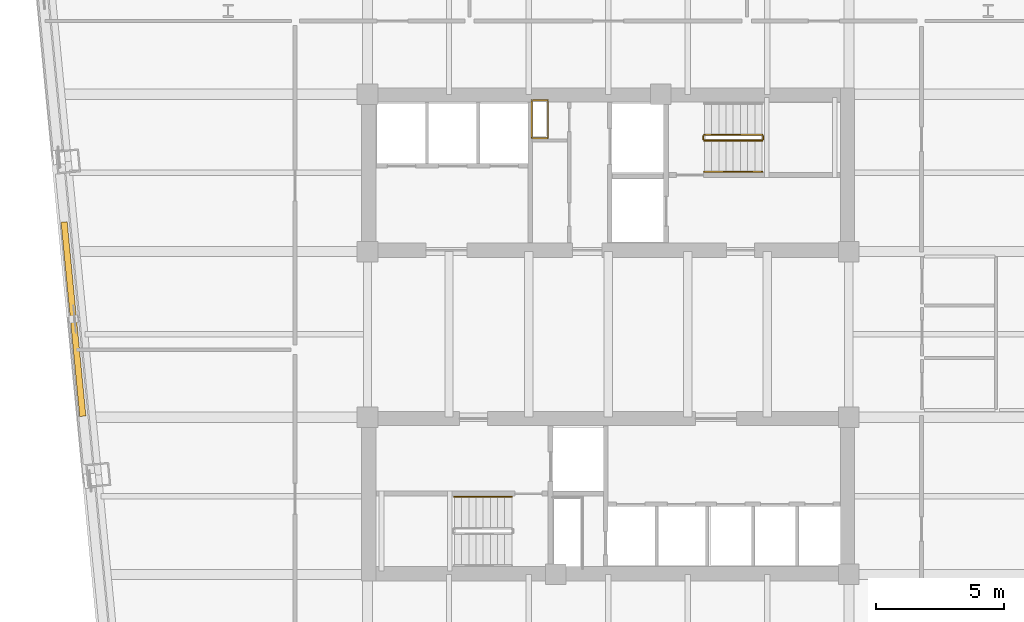
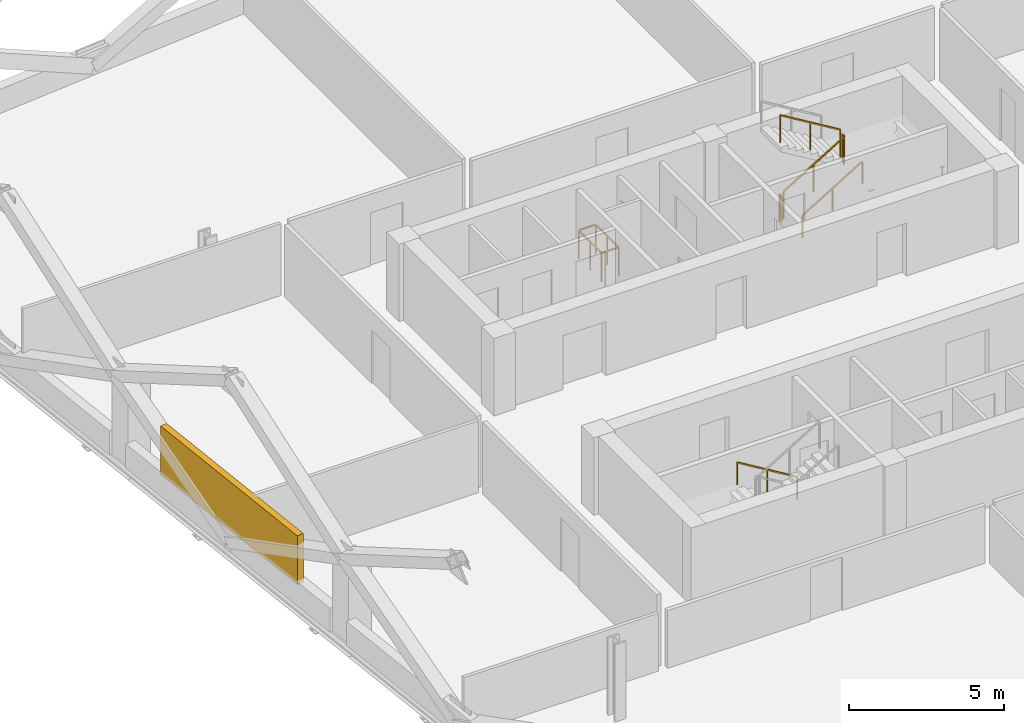
# One storey, part 7 of 8: 7 railings, 1 shading device.
"""IFC4 building model written with IfcOpenShell, lengths in metres."""

from ifc_helpers import new_model, si_unit, direction, frame, origin, origin_2d, place, context, subcontext, project, spatial, rectangle, extrude, material, type_object, element, save


model = new_model("IFC4")

# Units and contexts
model_context = context("Model", 3, precision=1e-05, world=origin(), true_north=direction((0.0, 1.0)))
body_context = subcontext(model_context, "Body", "Model", "MODEL_VIEW")
ifc_project = project(units=[si_unit("LENGTHUNIT", "METRE"), si_unit("AREAUNIT", "SQUARE_METRE"), si_unit("VOLUMEUNIT", "CUBIC_METRE"), si_unit("PLANEANGLEUNIT", "RADIAN"), si_unit("MASSUNIT", "GRAM", prefix="KILO")], contexts=[model_context])

# Site, building, storey
site_placement = place(None, origin())
site = spatial("IfcSite", under=ifc_project, at=site_placement, CompositionType="ELEMENT")
building_placement = place(site_placement, origin())
building = spatial("IfcBuilding", under=site, at=building_placement, Name="Qhalaya Broadcast Tower", CompositionType="ELEMENT")
storey_placement = place(building_placement, frame((0.0, 0.0, 93.85009765625)))
storey = spatial("IfcBuildingStorey", under=building, at=storey_placement, Name="L27", CompositionType="ELEMENT", Elevation=93.85009765625)

# Railings
ifc_material_1 = material(Name="Powder-Coated Galvanised Steel", Category="steel")
railing_type_1 = type_object("IfcRailingType", Name="Stair Wall Handrail 900", PredefinedType="HANDRAIL", material=ifc_material_1)
railing_1_placement = place(storey_placement, frame((3.75, 6.929931640625, 0.16943359375)))
element("IfcRailing", 1, at=railing_1_placement, inside=storey, type_object=railing_type_1, Name="L27 ST-1 Stair Handrail 1", PredefinedType="HANDRAIL", context=body_context, shape_type="SweptSolid", body=[
    extrude(rectangle(XDim=0.048095703125, YDim=0.048095703125, at=origin_2d()), frame((0.0, 0.0, 0.8759765625), z_axis=(0.855553338991, 0.0, 0.51771467445), x_axis=(0.0, 1.0, 0.0)), (0.0, 0.0, 1.0), 2.6181640625),
    extrude(rectangle(XDim=0.0419921875, YDim=0.0419921875, at=origin_2d()), origin(), (0.0, 0.0, 1.0), 0.849853515625),
    extrude(rectangle(XDim=0.0419921875, YDim=0.0419921875, at=origin_2d()), frame((1.1201171875, 0.0, 0.677734375)), (0.0, 0.0, 1.0), 0.849853515625),
    extrude(rectangle(XDim=0.0419921875, YDim=0.0419921875, at=origin_2d()), frame((2.239990234375, 0.0, 1.35546875)), (0.0, 0.0, 1.0), 0.849853515625),
])
railing_2_placement = place(storey_placement, frame((-3.75, -5.72998046875, 0.16943359375)))
element("IfcRailing", 2, at=railing_2_placement, inside=storey, type_object=railing_type_1, Name="L27 ST-2 Stair Handrail 1", PredefinedType="HANDRAIL", context=body_context, shape_type="SweptSolid", body=[
    extrude(rectangle(XDim=0.048095703125, YDim=0.048095703125, at=origin_2d()), frame((0.0, 0.0, 0.8759765625), z_axis=(-0.855553338991, 0.0, 0.51771467445), x_axis=(0.0, -1.0, 0.0)), (0.0, 0.0, 1.0), 2.6181640625),
    extrude(rectangle(XDim=0.0419921875, YDim=0.0419921875, at=origin_2d()), origin(), (0.0, 0.0, 1.0), 0.849853515625),
    extrude(rectangle(XDim=0.0419921875, YDim=0.0419921875, at=origin_2d()), frame((-1.1201171875, 0.0, 0.677734375)), (0.0, 0.0, 1.0), 0.849853515625),
    extrude(rectangle(XDim=0.0419921875, YDim=0.0419921875, at=origin_2d()), frame((-2.239990234375, 0.0, 1.35546875)), (0.0, 0.0, 1.0), 0.849853515625),
])
railing_type_2 = type_object("IfcRailingType", Name="Stair Well & Landing Guardrail 1100", PredefinedType="GUARDRAIL", material=ifc_material_1)
railing_3_placement = place(storey_placement, frame((-2.340087890625, 8.239990234375, 0.0)))
element("IfcRailing", 3, at=railing_3_placement, inside=storey, type_object=railing_type_2, Name="L27 Service Riser Opening Safety Guard NRSR", PredefinedType="GUARDRAIL", context=body_context, shape_type="SweptSolid", body=[
    extrude(rectangle(XDim=0.048095703125, YDim=0.048095703125, at=origin_2d()), frame((0.0, 0.02880859375, 1.1259765625), z_axis=(0.0, 1.0, 0.0), x_axis=(-1.0, 0.0, 0.0)), (0.0, 0.0, 1.0), 1.42236328125),
    extrude(rectangle(XDim=0.048095703125, YDim=0.048095703125, at=origin_2d()), frame((-0.02880859375, 1.47998046875, 1.1259765625), z_axis=(-1.0, 0.0, 0.0), x_axis=(0.0, -1.0, 0.0)), (0.0, 0.0, 1.0), 0.582275390625),
    extrude(rectangle(XDim=0.048095703125, YDim=0.048095703125, at=origin_2d()), frame((-0.639892578125, 1.451171875, 1.1259765625), z_axis=(0.0, -1.0, 0.0), x_axis=(1.0, 0.0, 0.0)), (0.0, 0.0, 1.0), 1.42236328125),
    extrude(rectangle(XDim=0.048095703125, YDim=0.048095703125, at=origin_2d()), frame((-0.611083984375, 0.0, 1.1259765625), z_axis=(1.0, 0.0, 0.0), x_axis=(0.0, 1.0, 0.0)), (0.0, 0.0, 1.0), 0.582275390625),
    extrude(rectangle(XDim=0.0419921875, YDim=0.0419921875, at=origin_2d()), origin(), (0.0, 0.0, 1.0), 1.099853515625),
    extrude(rectangle(XDim=0.0419921875, YDim=0.0419921875, at=origin_2d()), frame((0.0, 0.739990234375, 0.0)), (0.0, 0.0, 1.0), 1.099853515625),
    extrude(rectangle(XDim=0.0419921875, YDim=0.0419921875, at=origin_2d()), frame((0.0, 1.47998046875, 0.0)), (0.0, 0.0, 1.0), 1.099853515625),
    extrude(rectangle(XDim=0.0419921875, YDim=0.0419921875, at=origin_2d()), frame((-0.639892578125, 1.47998046875, 0.0)), (0.0, 0.0, 1.0), 1.099853515625),
    extrude(rectangle(XDim=0.0419921875, YDim=0.0419921875, at=origin_2d()), frame((-0.639892578125, 0.739990234375, 0.0)), (0.0, 0.0, 1.0), 1.099853515625),
    extrude(rectangle(XDim=0.0419921875, YDim=0.0419921875, at=origin_2d()), frame((-0.639892578125, 0.0, 0.0)), (0.0, 0.0, 1.0), 1.099853515625),
])
railing_4_placement = place(storey_placement, frame((3.75, 8.14990234375, 0.16943359375)))
element("IfcRailing", 4, at=railing_4_placement, inside=storey, type_object=railing_type_2, Name="L27 ST-1 Stair Guard 1", PredefinedType="GUARDRAIL", context=body_context, shape_type="SweptSolid", body=[
    extrude(rectangle(XDim=0.048095703125, YDim=0.048095703125, at=origin_2d()), frame((0.0, 0.0, 1.076171875), z_axis=(0.855553338991, 0.0, 0.51771467445), x_axis=(0.0, 1.0, 0.0)), (0.0, 0.0, 1.0), 2.6181640625),
    extrude(rectangle(XDim=0.0419921875, YDim=0.0419921875, at=origin_2d()), origin(), (0.0, 0.0, 1.0), 1.050048828125),
    extrude(rectangle(XDim=0.0419921875, YDim=0.0419921875, at=origin_2d()), frame((1.1201171875, 0.0, 0.677734375)), (0.0, 0.0, 1.0), 1.050048828125),
    extrude(rectangle(XDim=0.0419921875, YDim=0.0419921875, at=origin_2d()), frame((2.239990234375, 0.0, 1.35546875)), (0.0, 0.0, 1.0), 1.050048828125),
])
railing_5_placement = place(storey_placement, frame((6.0400390625, 8.199951171875, 1.52490234375)))
element("IfcRailing", 5, at=railing_5_placement, inside=storey, type_object=railing_type_2, Name="L27 ST-1 Stair Guard 2", PredefinedType="GUARDRAIL", context=body_context, shape_type="SweptSolid", body=[
    extrude(rectangle(XDim=0.048095703125, YDim=0.048095703125, at=origin_2d()), frame((0.0, 0.0, 1.076171875), z_axis=(0.0, 1.0, 0.0), x_axis=(-1.0, 0.0, 0.0)), (0.0, 0.0, 1.0), 0.1201171875),
    extrude(rectangle(XDim=0.0419921875, YDim=0.0419921875, at=origin_2d()), origin(), (0.0, 0.0, 1.0), 1.050048828125),
    extrude(rectangle(XDim=0.0419921875, YDim=0.0419921875, at=origin_2d()), frame((0.0, 0.1201171875, 0.0)), (0.0, 0.0, 1.0), 1.050048828125),
])
railing_6_placement = place(storey_placement, frame((5.989990234375, 8.3701171875, 1.6943359375)))
element("IfcRailing", 6, at=railing_6_placement, inside=storey, type_object=railing_type_2, Name="L27 ST-1 Stair Guard 3", PredefinedType="GUARDRAIL", context=body_context, shape_type="SweptSolid", body=[
    extrude(rectangle(XDim=0.048095703125, YDim=0.048095703125, at=origin_2d()), frame((0.0, 0.0, 1.076171875), z_axis=(-0.855553338991, 0.0, 0.51771467445), x_axis=(0.0, -1.0, 0.0)), (0.0, 0.0, 1.0), 2.6181640625),
    extrude(rectangle(XDim=0.0419921875, YDim=0.0419921875, at=origin_2d()), origin(), (0.0, 0.0, 1.0), 1.050048828125),
    extrude(rectangle(XDim=0.0419921875, YDim=0.0419921875, at=origin_2d()), frame((-1.1201171875, 0.0, 0.677734375)), (0.0, 0.0, 1.0), 1.050048828125),
    extrude(rectangle(XDim=0.0419921875, YDim=0.0419921875, at=origin_2d()), frame((-2.239990234375, 0.0, 1.35546875)), (0.0, 0.0, 1.0), 1.050048828125),
])
railing_7_placement = place(storey_placement, frame((3.699951171875, 8.199951171875, 0.0)))
element("IfcRailing", 7, at=railing_7_placement, inside=storey, type_object=railing_type_2, Name="L27 ST-1 Stair Guard 4", PredefinedType="GUARDRAIL", context=body_context, shape_type="SweptSolid", body=[
    extrude(rectangle(XDim=0.048095703125, YDim=0.048095703125, at=origin_2d()), frame((0.0, 0.0, 1.076171875), z_axis=(0.0, 1.0, 0.0), x_axis=(-1.0, 0.0, 0.0)), (0.0, 0.0, 1.0), 0.1201171875),
    extrude(rectangle(XDim=0.0419921875, YDim=0.0419921875, at=origin_2d()), origin(), (0.0, 0.0, 1.0), 1.050048828125),
    extrude(rectangle(XDim=0.0419921875, YDim=0.0419921875, at=origin_2d()), frame((0.0, 0.1201171875, 0.0)), (0.0, 0.0, 1.0), 1.050048828125),
])

# Shading device
ifc_material_2 = material(Name="Fired Architectural Terracotta", Category="masonry")
shading_device_type = type_object("IfcShadingDeviceType", Name="Terracotta Baguette Solar Screen Assembly TBS-01", PredefinedType="USERDEFINED", material=ifc_material_2)
shading_device_placement = place(storey_placement, frame((-20.827392578125, 1.193603515625, 0.79248046875), z_axis=(0.0, 0.0, 1.0), x_axis=(0.09584575252, -0.995396198367, 0.0)))
element("IfcShadingDevice", 8, at=shading_device_placement, inside=storey, type_object=shading_device_type, Name="L27 Fired Terracotta Baguette Screen W", ObjectType="BAGUETTE", PredefinedType="USERDEFINED", context=body_context, shape_type="SweptSolid", body=[
    extrude(rectangle(XDim=7.60009765625, YDim=0.239990234375, at=origin_2d()), origin(), (0.0, 0.0, 1.0), 1.924072265625),
])

save(model, "model.ifc")
